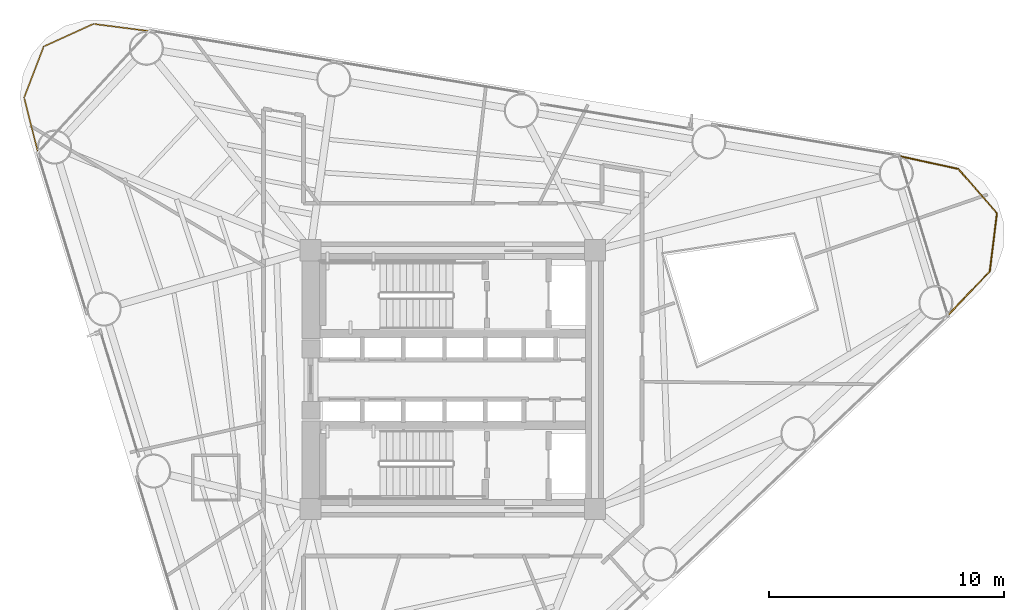
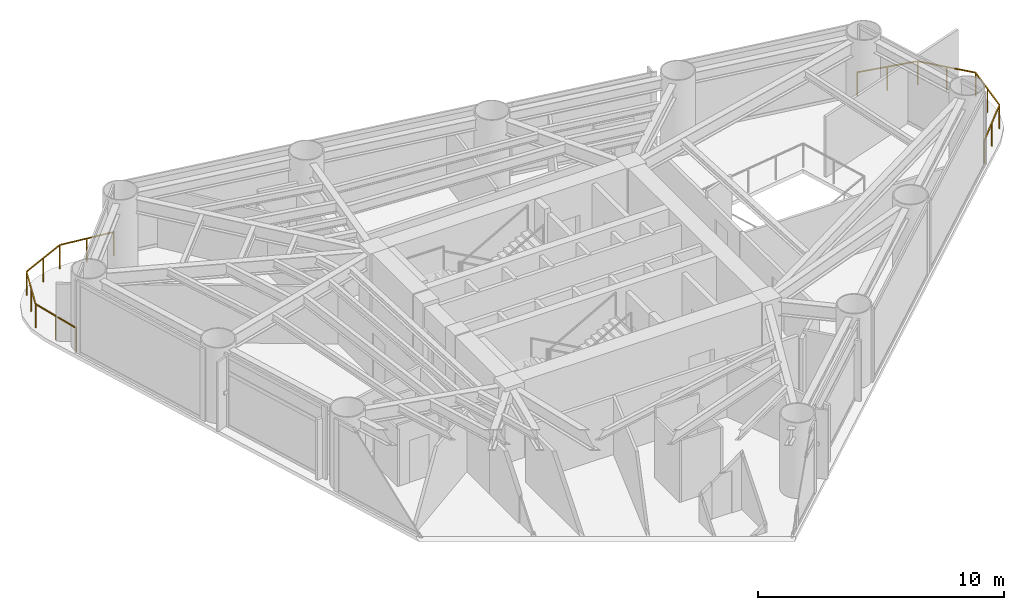
# One storey, part 10 of 10: 2 railings.
"""IFC4 building model written with IfcOpenShell, lengths in metres."""

from ifc_helpers import new_model, si_unit, direction, frame, origin, origin_2d, place, context, subcontext, project, spatial, rectangle, extrude, material, type_object, element, save


model = new_model("IFC4")

# Units and contexts
model_context = context("Model", 3, precision=1e-05, world=origin(), true_north=direction((0.0, 1.0)))
body_context = subcontext(model_context, "Body", "Model", "MODEL_VIEW")
ifc_project = project(units=[si_unit("LENGTHUNIT", "METRE"), si_unit("AREAUNIT", "SQUARE_METRE"), si_unit("VOLUMEUNIT", "CUBIC_METRE"), si_unit("PLANEANGLEUNIT", "RADIAN"), si_unit("MASSUNIT", "GRAM", prefix="KILO")], contexts=[model_context])

# Site, building, storey
site_placement = place(None, origin())
site = spatial("IfcSite", under=ifc_project, at=site_placement, CompositionType="ELEMENT")
building_placement = place(site_placement, origin())
building = spatial("IfcBuilding", under=site, at=building_placement, Name="Yunling Apex Tower", CompositionType="ELEMENT")
storey_placement = place(building_placement, frame((0.0, 0.0, 93.64990234375)))
storey = spatial("IfcBuildingStorey", under=building, at=storey_placement, Name="L23", CompositionType="ELEMENT", Elevation=93.64990234375)

# Railings
ifc_material = material(Name="Bronze anodised aluminium", Category="aluminium")
railing_type = type_object("IfcRailingType", Name="RL-BAL-1200", PredefinedType="BALUSTRADE", material=ifc_material)
railing_1_placement = place(storey_placement, frame((18.976806640625, 9.5029296875, 0.0)))
element("IfcRailing", 1, at=railing_1_placement, inside=storey, type_object=railing_type, Name="RL-CRNSILL-L23-1", PredefinedType="BALUSTRADE", context=body_context, shape_type="SweptSolid", body=[
    extrude(rectangle(XDim=0.0439453125, YDim=0.0439453125, at=origin_2d()), origin(), (0.0, 0.0, 1.0), 1.199951171875),
    extrude(rectangle(XDim=0.0439453125, YDim=0.0439453125, at=origin_2d()), frame((2.5205078125, -0.54833984375, 0.0)), (0.0, 0.0, 1.0), 1.199951171875),
    extrude(rectangle(XDim=0.050048828125, YDim=0.050048828125, at=origin_2d()), frame((0.037353515625, -0.008056640625, 1.1748046875), z_axis=(0.977143892078, -0.212578959861, 0.0), x_axis=(0.212578959861, 0.977143892078, 0.0)), (0.0, 0.0, 1.0), 2.502685546875),
    extrude(rectangle(XDim=0.0439453125, YDim=0.0439453125, at=origin_2d()), frame((1.26025390625, -0.274169921875, 0.0)), (0.0, 0.0, 1.0), 1.14599609375),
    extrude(rectangle(XDim=0.0439453125, YDim=0.0439453125, at=origin_2d()), frame((4.156005859375, -2.430419921875, 0.0)), (0.0, 0.0, 1.0), 1.199951171875),
    extrude(rectangle(XDim=0.050048828125, YDim=0.050048828125, at=origin_2d()), frame((2.545654296875, -0.577392578125, 1.1748046875), z_axis=(0.655928991852, -0.754822600117, 0.0), x_axis=(0.754822600117, 0.655928991852, 0.0)), (0.0, 0.0, 1.0), 2.416748046875),
    extrude(rectangle(XDim=0.0439453125, YDim=0.0439453125, at=origin_2d()), frame((3.33837890625, -1.4892578125, 0.0)), (0.0, 0.0, 1.0), 1.14599609375),
    extrude(rectangle(XDim=0.0439453125, YDim=0.0439453125, at=origin_2d()), frame((3.8525390625, -4.905517578125, 0.0)), (0.0, 0.0, 1.0), 1.199951171875),
    extrude(rectangle(XDim=0.050048828125, YDim=0.050048828125, at=origin_2d()), frame((4.1513671875, -2.468505859375, 1.1748046875), z_axis=(-0.121696705052, -0.992567333726, 0.0), x_axis=(0.992567333726, -0.121696705052, 0.0)), (0.0, 0.0, 1.0), 2.4169921875),
    extrude(rectangle(XDim=0.0439453125, YDim=0.0439453125, at=origin_2d()), frame((4.00439453125, -3.66796875, 0.0)), (0.0, 0.0, 1.0), 1.14599609375),
    extrude(rectangle(XDim=0.0439453125, YDim=0.0439453125, at=origin_2d()), frame((2.06982421875, -6.76953125, 0.0)), (0.0, 0.0, 1.0), 1.199951171875),
    extrude(rectangle(XDim=0.050048828125, YDim=0.050048828125, at=origin_2d()), frame((3.825927734375, -4.93310546875, 1.1748046875), z_axis=(-0.691171065155, -0.722691191791, 0.0), x_axis=(0.722691191791, -0.691171065155, 0.0)), (0.0, 0.0, 1.0), 2.502685546875),
    extrude(rectangle(XDim=0.0439453125, YDim=0.0439453125, at=origin_2d()), frame((2.961181640625, -5.83740234375, 0.0)), (0.0, 0.0, 1.0), 1.14599609375),
])
railing_2_placement = place(storey_placement, frame((-17.63525390625, 9.6669921875, 0.0)))
element("IfcRailing", 2, at=railing_2_placement, inside=storey, type_object=railing_type, Name="RL-CRNSILL-L23-2", PredefinedType="BALUSTRADE", context=body_context, shape_type="SweptSolid", body=[
    extrude(rectangle(XDim=0.0439453125, YDim=0.0439453125, at=origin_2d()), origin(), (0.0, 0.0, 1.0), 1.199951171875),
    extrude(rectangle(XDim=0.0439453125, YDim=0.0439453125, at=origin_2d()), frame((-0.58642578125, 2.31884765625, 0.0)), (0.0, 0.0, 1.0), 1.199951171875),
    extrude(rectangle(XDim=0.050048828125, YDim=0.050048828125, at=origin_2d()), frame((-0.00927734375, 0.037109375, 1.1748046875), z_axis=(-0.245176585422, 0.96947843811, 0.0), x_axis=(-0.96947843811, -0.245176585422, 0.0)), (0.0, 0.0, 1.0), 2.315185546875),
    extrude(rectangle(XDim=0.0439453125, YDim=0.0439453125, at=origin_2d()), frame((-0.293212890625, 1.159423828125, 0.0)), (0.0, 0.0, 1.0), 1.14599609375),
    extrude(rectangle(XDim=0.0439453125, YDim=0.0439453125, at=origin_2d()), frame((0.2470703125, 4.49267578125, 0.0)), (0.0, 0.0, 1.0), 1.199951171875),
    extrude(rectangle(XDim=0.050048828125, YDim=0.050048828125, at=origin_2d()), frame((-0.57275390625, 2.354736328125, 1.1748046875), z_axis=(0.358009154452, 0.933718075935, 0.0), x_axis=(-0.933718075935, 0.358009154452, 0.0)), (0.0, 0.0, 1.0), 2.25146484375),
    extrude(rectangle(XDim=0.0439453125, YDim=0.0439453125, at=origin_2d()), frame((-0.169677734375, 3.40576171875, 0.0)), (0.0, 0.0, 1.0), 1.14599609375),
    extrude(rectangle(XDim=0.0439453125, YDim=0.0439453125, at=origin_2d()), frame((2.359375, 5.453369140625, 0.0)), (0.0, 0.0, 1.0), 1.199951171875),
    extrude(rectangle(XDim=0.050048828125, YDim=0.050048828125, at=origin_2d()), frame((0.281982421875, 4.508544921875, 1.1748046875), z_axis=(0.910276378893, 0.4140011039, 0.0), x_axis=(-0.4140011039, 0.910276378893, 0.0)), (0.0, 0.0, 1.0), 2.243896484375),
    extrude(rectangle(XDim=0.0439453125, YDim=0.0439453125, at=origin_2d()), frame((1.30322265625, 4.97314453125, 0.0)), (0.0, 0.0, 1.0), 1.14599609375),
    extrude(rectangle(XDim=0.0439453125, YDim=0.0439453125, at=origin_2d()), frame((4.732666015625, 5.14794921875, 0.0)), (0.0, 0.0, 1.0), 1.199951171875),
    extrude(rectangle(XDim=0.050048828125, YDim=0.050048828125, at=origin_2d()), frame((2.3974609375, 5.448486328125, 1.1748046875), z_axis=(0.991820835982, -0.127637883532, 0.0), x_axis=(0.127637883532, 0.991820835982, 0.0)), (0.0, 0.0, 1.0), 2.316162109375),
    extrude(rectangle(XDim=0.0439453125, YDim=0.0439453125, at=origin_2d()), frame((3.5458984375, 5.30078125, 0.0)), (0.0, 0.0, 1.0), 1.14599609375),
])

save(model, "model.ifc")
